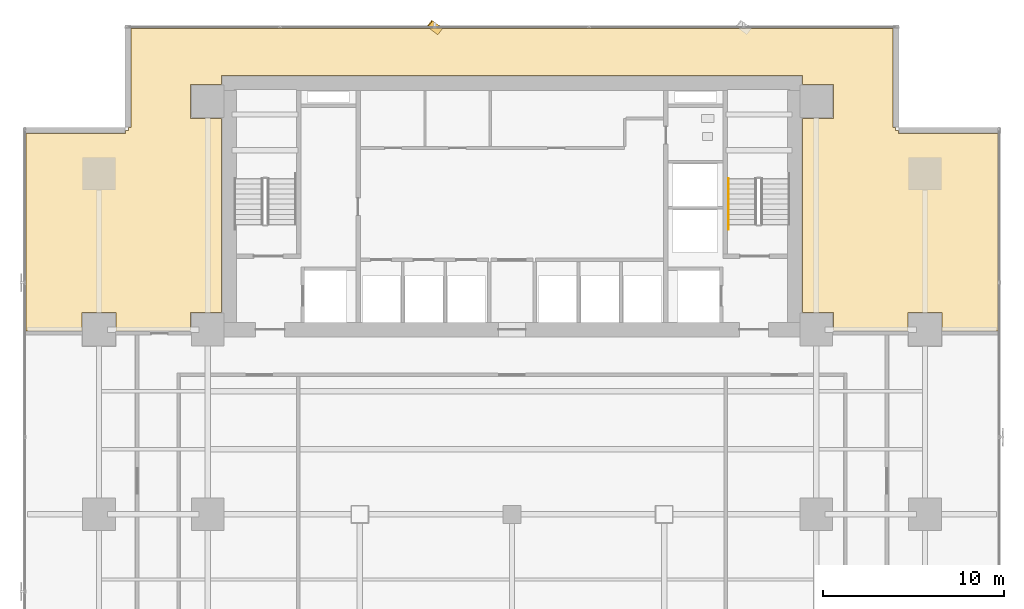
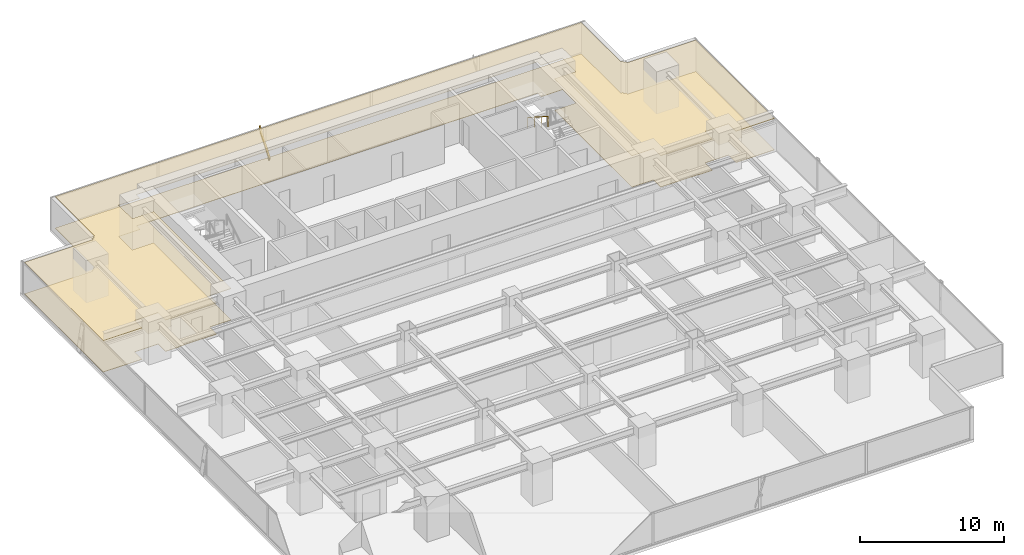
# One storey, part 31 of 33: 2 coverings, 1 railing, 1 shading device.
"""IFC4 building model written with IfcOpenShell, lengths in metres."""

from ifc_helpers import new_model, si_unit, direction, frame, origin, origin_2d, place, context, subcontext, project, spatial, polyline, rectangle, outline, extrude, source, transform, mapped, material, layer, layer_set, material_profile, profile_set, type_object, element, save


model = new_model("IFC4")

# Units and contexts
model_context = context("Model", 3, precision=1e-05, world=origin(), true_north=direction((0.0, 1.0)))
body_context = subcontext(model_context, "Body", "Model", "MODEL_VIEW")
ifc_project = project(units=[si_unit("LENGTHUNIT", "METRE"), si_unit("AREAUNIT", "SQUARE_METRE"), si_unit("VOLUMEUNIT", "CUBIC_METRE"), si_unit("PLANEANGLEUNIT", "RADIAN"), si_unit("MASSUNIT", "GRAM", prefix="KILO")], contexts=[model_context])

# Site, building, storey
site_placement = place(None, origin())
site = spatial("IfcSite", under=ifc_project, at=site_placement, CompositionType="ELEMENT")
building_placement = place(site_placement, origin())
building = spatial("IfcBuilding", under=site, at=building_placement, Name="Sumidabori Civic Tower", CompositionType="ELEMENT")
storey_placement = place(building_placement, frame((0.0, 0.0, 66.800048828125)))
storey = spatial("IfcBuildingStorey", under=building, at=storey_placement, Name="L17", CompositionType="ELEMENT", Elevation=66.800048828125)

# Coverings
ifc_material_1 = material(Name="Acoustic Mineral Gypsum Ceiling Tile")
ifc_layer_1 = layer(ifc_material_1, 0.034912109375, Name="Acoustic Mineral Gypsum Ceiling Tile")
ifc_layer_set_1 = layer_set([ifc_layer_1], Name="Acoustic Mineral Gypsum Ceiling Tile")
covering_type_1 = type_object("IfcCoveringType", Name="CV-CEIL-AC1", PredefinedType="CEILING", material=ifc_layer_set_1)
covering_1_placement = place(storey_placement, frame((0.0, 0.0, 2.64990234375)))
element("IfcCovering", 1, at=covering_1_placement, inside=storey, type_object=covering_type_1, Name="Room Acoustic Ceiling L17-01", PredefinedType="CEILING", context=body_context, shape_type="SweptSolid", body=[
    extrude(outline(polyline([(-21.342041015625, 21.179931640625), (-21.179931640625, 21.179931640625), (-21.179931640625, 21.342041015625), (-21.02197265625, 21.342041015625), (-21.02197265625, 26.830078125), (21.02197265625, 26.830078125), (21.02197265625, 21.342041015625), (21.179931640625, 21.342041015625), (21.179931640625, 21.179931640625), (21.342041015625, 21.179931640625), (21.342041015625, 21.02197265625), (26.830078125, 21.02197265625), (26.830078125, 10.110107421875), (23.739990234375, 10.110107421875), (23.739990234375, 11.139892578125), (21.860107421875, 11.139892578125), (21.860107421875, 10.110107421875), (20.800048828125, 10.110107421875), (20.800048828125, 10.14990234375), (17.739990234375, 10.14990234375), (17.739990234375, 11.139892578125), (16.028076171875, 11.139892578125), (16.028076171875, 21.860107421875), (17.739990234375, 21.860107421875), (17.739990234375, 23.739990234375), (16.028076171875, 23.739990234375), (16.028076171875, 24.22802734375), (-16.028076171875, 24.22802734375), (-16.028076171875, 23.739990234375), (-17.739990234375, 23.739990234375), (-17.739990234375, 21.860107421875), (-16.028076171875, 21.860107421875), (-16.028076171875, 11.139892578125), (-17.739990234375, 11.139892578125), (-17.739990234375, 10.14990234375), (-20.800048828125, 10.14990234375), (-20.800048828125, 10.110107421875), (-21.860107421875, 10.110107421875), (-21.860107421875, 11.139892578125), (-23.739990234375, 11.139892578125), (-23.739990234375, 10.110107421875), (-26.830078125, 10.110107421875), (-26.830078125, 21.02197265625), (-21.342041015625, 21.02197265625), (-21.342041015625, 21.179931640625)])), origin(), (0.0, 0.0, 1.0), 0.03515625),
])
ifc_material_2 = material(Name="Honed Terrazzo Tile Flooring")
ifc_layer_2 = layer(ifc_material_2, 0.030029296875, Name="Honed Terrazzo Tile Flooring")
ifc_layer_set_2 = layer_set([ifc_layer_2], Name="Honed Terrazzo Tile Flooring")
covering_type_2 = type_object("IfcCoveringType", Name="CV-FLR-TER", PredefinedType="FLOORING", material=ifc_layer_set_2)
covering_2_placement = place(storey_placement, origin())
element("IfcCovering", 2, at=covering_2_placement, inside=storey, type_object=covering_type_2, Name="Room Terrazzo Floor L17-01", PredefinedType="FLOORING", context=body_context, shape_type="SweptSolid", body=[
    extrude(outline(polyline([(-21.342041015625, 21.179931640625), (-21.179931640625, 21.179931640625), (-21.179931640625, 21.342041015625), (-21.02197265625, 21.342041015625), (-21.02197265625, 26.830078125), (21.02197265625, 26.830078125), (21.02197265625, 21.342041015625), (21.179931640625, 21.342041015625), (21.179931640625, 21.179931640625), (21.342041015625, 21.179931640625), (21.342041015625, 21.02197265625), (26.830078125, 21.02197265625), (26.830078125, 10.110107421875), (23.739990234375, 10.110107421875), (23.739990234375, 11.139892578125), (21.860107421875, 11.139892578125), (21.860107421875, 10.110107421875), (20.800048828125, 10.110107421875), (20.800048828125, 10.14990234375), (17.739990234375, 10.14990234375), (17.739990234375, 11.139892578125), (16.028076171875, 11.139892578125), (16.028076171875, 21.860107421875), (17.739990234375, 21.860107421875), (17.739990234375, 23.739990234375), (16.028076171875, 23.739990234375), (16.028076171875, 24.22802734375), (-16.028076171875, 24.22802734375), (-16.028076171875, 23.739990234375), (-17.739990234375, 23.739990234375), (-17.739990234375, 21.860107421875), (-16.028076171875, 21.860107421875), (-16.028076171875, 11.139892578125), (-17.739990234375, 11.139892578125), (-17.739990234375, 10.14990234375), (-20.800048828125, 10.14990234375), (-20.800048828125, 10.110107421875), (-21.860107421875, 10.110107421875), (-21.860107421875, 11.139892578125), (-23.739990234375, 11.139892578125), (-23.739990234375, 10.110107421875), (-26.830078125, 10.110107421875), (-26.830078125, 21.02197265625), (-21.342041015625, 21.02197265625), (-21.342041015625, 21.179931640625)])), origin(), (0.0, 0.0, 1.0), 0.030029296875),
])

# Railing
ifc_material_3 = material(Name="Stainless Steel Hairline Finish", Category="steel")
railing_type = type_object("IfcRailingType", Name="RL-HANDRAIL", PredefinedType="HANDRAIL", material=ifc_material_3)
railing_placement = place(storey_placement, frame((11.949951171875, 18.52001953125, 1.97998046875)))
element("IfcRailing", 3, at=railing_placement, inside=storey, type_object=railing_type, Name="L17 ST-2 stair handrail 2", PredefinedType="HANDRAIL", context=body_context, shape_type="SweptSolid", body=[
    extrude(rectangle(XDim=0.048095703125, YDim=0.048095703125, at=origin_2d()), frame((0.0, 0.0, 0.8759765625), z_axis=(0.0, -0.840675598268, 0.541539046124), x_axis=(1.0, 0.0, 0.0)), (0.0, 0.0, 1.0), 3.330810546875),
    extrude(rectangle(XDim=0.0419921875, YDim=0.0419921875, at=origin_2d()), origin(), (0.0, 0.0, 1.0), 0.851806640625),
    extrude(rectangle(XDim=0.0419921875, YDim=0.0419921875, at=origin_2d()), frame((0.0, -0.933349609375, 0.601318359375)), (0.0, 0.0, 1.0), 0.851806640625),
    extrude(rectangle(XDim=0.0419921875, YDim=0.0419921875, at=origin_2d()), frame((0.0, -1.86669921875, 1.202392578125)), (0.0, 0.0, 1.0), 0.851806640625),
    extrude(rectangle(XDim=0.0419921875, YDim=0.0419921875, at=origin_2d()), frame((0.0, -2.800048828125, 1.8037109375)), (0.0, 0.0, 1.0), 0.851806640625),
])

# Shading device
ifc_material_4 = material(Name="Anodised Bronze Aluminium AW-6063-T6", Category="aluminium")
ifc_material_profile = material_profile(ifc_material_4, rectangle(XDim=0.06005859375, YDim=0.449951171875, at=origin_2d()), Name="BRONZE FIN 450x60")
ifc_profile_set = profile_set([ifc_material_profile], Name="Anodised Bronze Aluminium AW-6063-T6")
shading_device_type = type_object("IfcShadingDeviceType", Name="SH-FIN-450", PredefinedType="USERDEFINED", material=ifc_profile_set)
shared_shape = source(origin(), body_context, "Body", "SweptSolid", [
    extrude(rectangle(XDim=0.06005859375, YDim=0.449951171875, at=origin_2d()), origin(), (0.0, 0.0, 1.0), 2.7119140625),
])
shading_device_placement = place(storey_placement, frame((-3.98388671875, 26.669921875, 0.02001953125), z_axis=(-0.206525378956, 0.154939048467, 0.966095833294), x_axis=(0.77279580864, -0.579765294974, 0.258183734756)))
element("IfcShadingDevice", 4, at=shading_device_placement, inside=storey, type_object=shading_device_type, Name="Bronze Anodised Diagonal Fin L17-03", ObjectType="FIN", PredefinedType="USERDEFINED", context=body_context, shape_type="MappedRepresentation", body=[
    mapped(shared_shape, transform((0.0, 0.0, 0.0), x_axis=(1.0, 0.0, 0.0), y_axis=(0.0, 1.0, 0.0), z_axis=(0.0, 0.0, 1.0), scale=1.0)),
])

save(model, "model.ifc")
